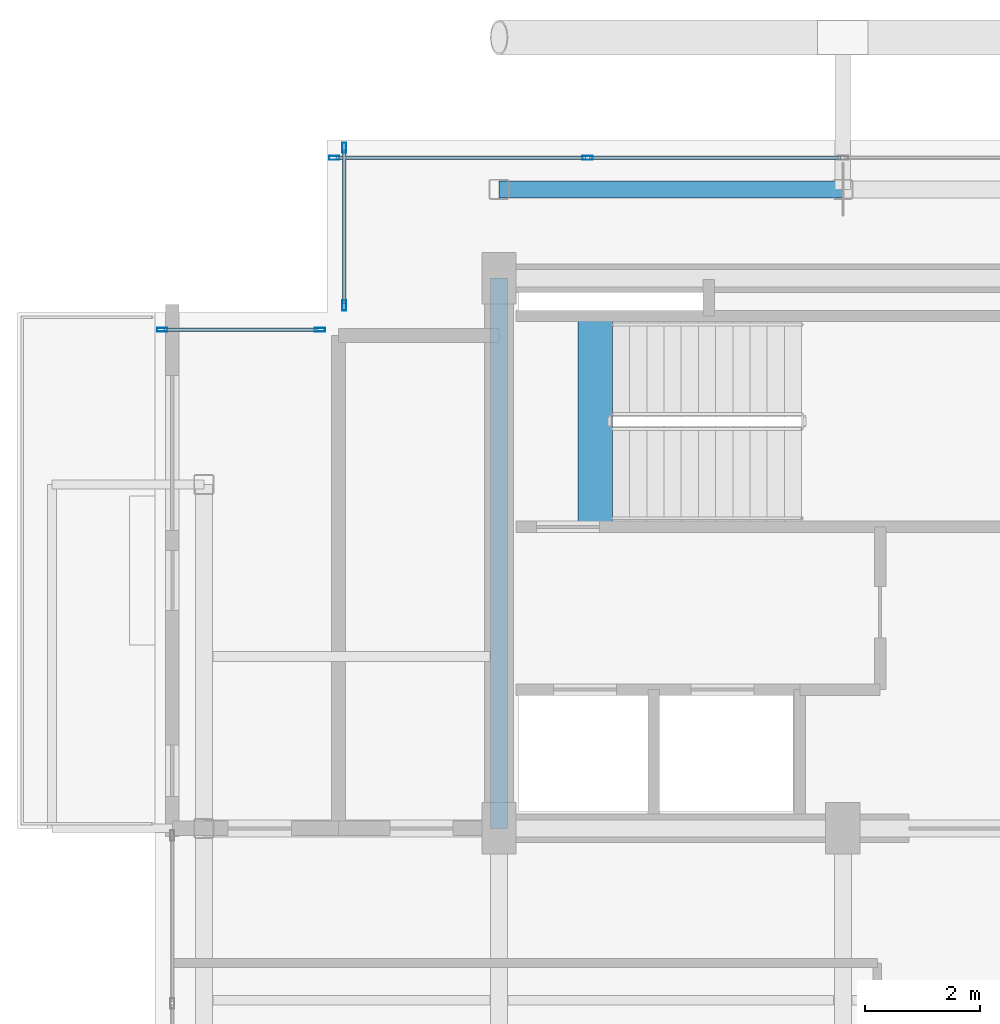
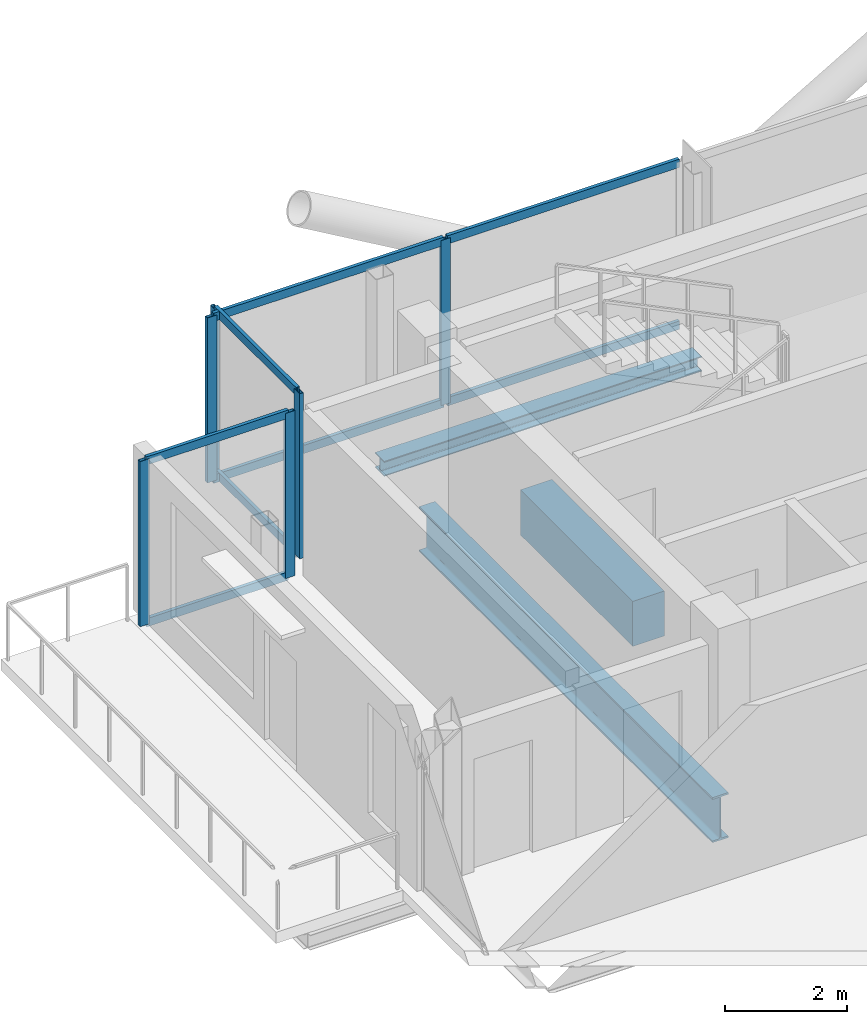
# One storey, part 7 of 18: 14 members, 3 beams, 3 elements without a shape of their own.
"""IFC4 building model written with IfcOpenShell, lengths in metres."""

from ifc_helpers import new_model, si_unit, direction, frame, origin, origin_2d, place, context, subcontext, project, spatial, rectangle, hollow_rectangle, i_section, extrude, material, layer, layer_set, material_profile, profile_set, type_object, element, aggregate, save


model = new_model("IFC4")

# Units and contexts
model_context = context("Model", 3, precision=1e-05, world=origin(), true_north=direction((0.0, 1.0)))
body_context = subcontext(model_context, "Body", "Model", "MODEL_VIEW")
ifc_project = project(units=[si_unit("LENGTHUNIT", "METRE"), si_unit("AREAUNIT", "SQUARE_METRE"), si_unit("VOLUMEUNIT", "CUBIC_METRE"), si_unit("PLANEANGLEUNIT", "RADIAN"), si_unit("MASSUNIT", "GRAM", prefix="KILO"), si_unit("THERMODYNAMICTEMPERATUREUNIT", "KELVIN"), si_unit("POWERUNIT", "WATT")], contexts=[model_context])

# Site, building, storey
site_placement = place(None, origin())
site = spatial("IfcSite", under=ifc_project, at=site_placement, CompositionType="ELEMENT")
building_placement = place(site_placement, origin())
building = spatial("IfcBuilding", under=site, at=building_placement, Name="Svarakhadi Broadcast Tower", CompositionType="ELEMENT")
storey_placement = place(building_placement, frame((0.0, 0.0, 288.699951171875)))
storey = spatial("IfcBuildingStorey", under=building, at=storey_placement, Name="L73", CompositionType="ELEMENT", Elevation=288.699951171875)

# Curtain wall, members
ifc_material_1 = material(Name="Anodised Bronze Aluminium AA 6063-T6", Category="aluminium")
ifc_layer = layer(ifc_material_1, 0.179931640625)
ifc_layer_set = layer_set([ifc_layer], Name="Anodised Bronze Aluminium AA 6063-T6")
curtain_wall_type = type_object("IfcCurtainWallType", Name="CW_Sys_05", PredefinedType="NOTDEFINED", material=ifc_layer_set)
curtain_wall_1_placement = place(storey_placement, origin())
curtain_wall_1 = element("IfcCurtainWall", 1, at=curtain_wall_1_placement, inside=storey, type_object=curtain_wall_type, Name="L73 Unitised Facade Curtain Wall 03", PredefinedType="NOTDEFINED")
ifc_material_profile_1 = material_profile(ifc_material_1, hollow_rectangle(XDim=0.070068359375, YDim=0.179931640625, WallThickness=0.005615234375, at=origin_2d()), Name="ALU MULLION 180x70x6")
ifc_profile_set_1 = profile_set([ifc_material_profile_1], Name="Anodised Bronze Aluminium AA 6063-T6")
member_type_1 = type_object("IfcMemberType", Name="CW_Sys_05_Mul", PredefinedType="MULLION", material=ifc_profile_set_1)
member_1_placement = place(storey_placement, frame((0.125, 26.699951171875, 0.0), z_axis=(0.0, 0.0, 1.0), x_axis=(0.0, 1.0, 0.0)))
member_1 = element("IfcMember", 2, at=member_1_placement, type_object=member_type_1, Name="CW-05 mullion 1", PredefinedType="MULLION", context=body_context, shape_type="SweptSolid", body=[
    extrude(hollow_rectangle(XDim=0.070068359375, YDim=0.179931640625, WallThickness=0.005615234375, at=origin_2d()), origin(), (0.0, 0.0, 1.0), 3.300048828125),
])
member_2_placement = place(storey_placement, frame((2.875, 26.699951171875, 0.0), z_axis=(0.0, 0.0, 1.0), x_axis=(0.0, 1.0, 0.0)))
member_2 = element("IfcMember", 3, at=member_2_placement, type_object=member_type_1, Name="CW-05 mullion 2", PredefinedType="MULLION", context=body_context, shape_type="SweptSolid", body=[
    extrude(hollow_rectangle(XDim=0.070068359375, YDim=0.179931640625, WallThickness=0.005615234375, at=origin_2d()), origin(), (0.0, 0.0, 1.0), 3.300048828125),
])

curtain_wall_2_placement = place(storey_placement, origin())
curtain_wall_2 = element("IfcCurtainWall", 4, at=curtain_wall_2_placement, inside=storey, type_object=curtain_wall_type, Name="L73 Unitised Facade Curtain Wall 04", PredefinedType="NOTDEFINED")
member_3_placement = place(storey_placement, frame((3.300048828125, 27.125, 0.0), z_axis=(0.0, 0.0, 1.0), x_axis=(-1.0, 0.0, 0.0)))
member_3 = element("IfcMember", 5, at=member_3_placement, type_object=member_type_1, Name="CW-05 mullion 1", PredefinedType="MULLION", context=body_context, shape_type="SweptSolid", body=[
    extrude(hollow_rectangle(XDim=0.070068359375, YDim=0.179931640625, WallThickness=0.005615234375, at=origin_2d()), origin(), (0.0, 0.0, 1.0), 3.300048828125),
])
member_4_placement = place(storey_placement, frame((3.300048828125, 29.875, 0.0), z_axis=(0.0, 0.0, 1.0), x_axis=(-1.0, 0.0, 0.0)))
member_4 = element("IfcMember", 6, at=member_4_placement, type_object=member_type_1, Name="CW-05 mullion 2", PredefinedType="MULLION", context=body_context, shape_type="SweptSolid", body=[
    extrude(hollow_rectangle(XDim=0.070068359375, YDim=0.179931640625, WallThickness=0.005615234375, at=origin_2d()), origin(), (0.0, 0.0, 1.0), 3.300048828125),
])

curtain_wall_3_placement = place(storey_placement, origin())
curtain_wall_3 = element("IfcCurtainWall", 7, at=curtain_wall_3_placement, inside=storey, type_object=curtain_wall_type, Name="L73 Unitised Facade Curtain Wall 05", PredefinedType="NOTDEFINED")
member_5_placement = place(storey_placement, frame((3.125, 29.699951171875, 0.0), z_axis=(0.0, 0.0, 1.0), x_axis=(0.0, 1.0, 0.0)))
member_5 = element("IfcMember", 8, at=member_5_placement, type_object=member_type_1, Name="CW-05 mullion 1", PredefinedType="MULLION", context=body_context, shape_type="SweptSolid", body=[
    extrude(hollow_rectangle(XDim=0.070068359375, YDim=0.179931640625, WallThickness=0.005615234375, at=origin_2d()), origin(), (0.0, 0.0, 1.0), 3.300048828125),
])
member_6_placement = place(storey_placement, frame((7.544921875, 29.699951171875, 0.0), z_axis=(0.0, 0.0, 1.0), x_axis=(0.0, 1.0, 0.0)))
member_6 = element("IfcMember", 9, at=member_6_placement, type_object=member_type_1, Name="CW-05 mullion 2", PredefinedType="MULLION", context=body_context, shape_type="SweptSolid", body=[
    extrude(hollow_rectangle(XDim=0.070068359375, YDim=0.179931640625, WallThickness=0.005615234375, at=origin_2d()), origin(), (0.0, 0.0, 1.0), 3.300048828125),
])

# Member
ifc_material_profile_2 = material_profile(ifc_material_1, hollow_rectangle(XDim=0.06494140625, YDim=0.1650390625, WallThickness=0.0048828125, at=origin_2d()), Name="ALU TRANSOM 165x65x5")
ifc_profile_set_2 = profile_set([ifc_material_profile_2], Name="Anodised Bronze Aluminium AA 6063-T6")
member_type_2 = type_object("IfcMemberType", Name="CW_Sys_05_Trn", PredefinedType="USERDEFINED", material=ifc_profile_set_2)
member_7_placement = place(storey_placement, frame((0.159912109375, 26.699951171875, 0.032470703125), z_axis=(1.0, 0.0, 0.0), x_axis=(0.0, 1.0, 0.0)))
member_7 = element("IfcMember", 10, at=member_7_placement, type_object=member_type_2, Name="CW-05 transom 1.1", ObjectType="TRANSOM", PredefinedType="USERDEFINED", context=body_context, shape_type="SweptSolid", body=[
    extrude(hollow_rectangle(XDim=0.06494140625, YDim=0.1650390625, WallThickness=0.0048828125, at=origin_2d()), origin(), (0.0, 0.0, 1.0), 2.68017578125),
])

member_8_placement = place(storey_placement, frame((0.159912109375, 26.699951171875, 3.267578125), z_axis=(1.0, 0.0, 0.0), x_axis=(0.0, 1.0, 0.0)))
member_8 = element("IfcMember", 11, at=member_8_placement, type_object=member_type_2, Name="CW-05 transom 1.2", ObjectType="TRANSOM", PredefinedType="USERDEFINED", context=body_context, shape_type="SweptSolid", body=[
    extrude(hollow_rectangle(XDim=0.06494140625, YDim=0.1650390625, WallThickness=0.0048828125, at=origin_2d()), origin(), (0.0, 0.0, 1.0), 2.68017578125),
])

aggregate(curtain_wall_1, [member_1, member_2, member_7, member_8])

member_9_placement = place(storey_placement, frame((3.300048828125, 27.159912109375, 0.032470703125), z_axis=(0.0, 1.0, 0.0), x_axis=(-1.0, 0.0, 0.0)))
member_9 = element("IfcMember", 12, at=member_9_placement, type_object=member_type_2, Name="CW-05 transom 1.1", ObjectType="TRANSOM", PredefinedType="USERDEFINED", context=body_context, shape_type="SweptSolid", body=[
    extrude(hollow_rectangle(XDim=0.06494140625, YDim=0.1650390625, WallThickness=0.0048828125, at=origin_2d()), origin(), (0.0, 0.0, 1.0), 2.68017578125),
])

member_10_placement = place(storey_placement, frame((3.300048828125, 27.159912109375, 3.267578125), z_axis=(0.0, 1.0, 0.0), x_axis=(-1.0, 0.0, 0.0)))
member_10 = element("IfcMember", 13, at=member_10_placement, type_object=member_type_2, Name="CW-05 transom 1.2", ObjectType="TRANSOM", PredefinedType="USERDEFINED", context=body_context, shape_type="SweptSolid", body=[
    extrude(hollow_rectangle(XDim=0.06494140625, YDim=0.1650390625, WallThickness=0.0048828125, at=origin_2d()), origin(), (0.0, 0.0, 1.0), 2.68017578125),
])

aggregate(curtain_wall_2, [member_3, member_4, member_9, member_10])

member_11_placement = place(storey_placement, frame((3.159912109375, 29.699951171875, 0.032470703125), z_axis=(1.0, 0.0, 0.0), x_axis=(0.0, 1.0, 0.0)))
member_11 = element("IfcMember", 14, at=member_11_placement, type_object=member_type_2, Name="CW-05 transom 1.1", ObjectType="TRANSOM", PredefinedType="USERDEFINED", context=body_context, shape_type="SweptSolid", body=[
    extrude(hollow_rectangle(XDim=0.06494140625, YDim=0.1650390625, WallThickness=0.0048828125, at=origin_2d()), origin(), (0.0, 0.0, 1.0), 4.35009765625),
])

member_12_placement = place(storey_placement, frame((3.159912109375, 29.699951171875, 3.267578125), z_axis=(1.0, 0.0, 0.0), x_axis=(0.0, 1.0, 0.0)))
member_12 = element("IfcMember", 15, at=member_12_placement, type_object=member_type_2, Name="CW-05 transom 1.2", ObjectType="TRANSOM", PredefinedType="USERDEFINED", context=body_context, shape_type="SweptSolid", body=[
    extrude(hollow_rectangle(XDim=0.06494140625, YDim=0.1650390625, WallThickness=0.0048828125, at=origin_2d()), origin(), (0.0, 0.0, 1.0), 4.35009765625),
])

member_13_placement = place(storey_placement, frame((7.580078125, 29.699951171875, 0.032470703125), z_axis=(1.0, 0.0, 0.0), x_axis=(0.0, 1.0, 0.0)))
member_13 = element("IfcMember", 16, at=member_13_placement, type_object=member_type_2, Name="CW-05 transom 2.1", ObjectType="TRANSOM", PredefinedType="USERDEFINED", context=body_context, shape_type="SweptSolid", body=[
    extrude(hollow_rectangle(XDim=0.06494140625, YDim=0.1650390625, WallThickness=0.0048828125, at=origin_2d()), origin(), (0.0, 0.0, 1.0), 4.385009765625),
])

member_14_placement = place(storey_placement, frame((7.580078125, 29.699951171875, 3.267578125), z_axis=(1.0, 0.0, 0.0), x_axis=(0.0, 1.0, 0.0)))
member_14 = element("IfcMember", 17, at=member_14_placement, type_object=member_type_2, Name="CW-05 transom 2.2", ObjectType="TRANSOM", PredefinedType="USERDEFINED", context=body_context, shape_type="SweptSolid", body=[
    extrude(hollow_rectangle(XDim=0.06494140625, YDim=0.1650390625, WallThickness=0.0048828125, at=origin_2d()), origin(), (0.0, 0.0, 1.0), 4.385009765625),
])

aggregate(curtain_wall_3, [member_5, member_6, member_11, member_12, member_13, member_14])

# Beams
ifc_material_2 = material(Name="Concrete C50/60 (IS 456 M60)", Category="concrete")
ifc_material_profile_3 = material_profile(ifc_material_2, rectangle(XDim=0.60009765625, YDim=0.89990234375, at=origin_2d()), Name="RC 600x900")
ifc_profile_set_3 = profile_set([ifc_material_profile_3], Name="Concrete C50/60 (IS 456 M60)")
beam_type_1 = type_object("IfcBeamType", Name="Coupling_RC600", PredefinedType="USERDEFINED", material=ifc_profile_set_3)
beam_1_placement = place(storey_placement, frame((7.679931640625, 23.260009765625, -0.449951171875), z_axis=(0.0, 1.0, 0.0), x_axis=(-1.0, 0.0, 0.0)))
element("IfcBeam", 18, at=beam_1_placement, inside=storey, type_object=beam_type_1, Name="L73 Stair ST-01 Landing Throat Trimmer Beam CB-01", ObjectType="GIRDER", PredefinedType="USERDEFINED", context=body_context, shape_type="SweptSolid", body=[
    extrude(rectangle(XDim=0.60009765625, YDim=0.89990234375, at=origin_2d()), origin(), (0.0, 0.0, 1.0), 3.679931640625),
])
ifc_material_3 = material(Name="Steel S355J2 (IS 2062 E350C)", Category="steel")
ifc_material_profile_4 = material_profile(ifc_material_3, i_section(OverallWidth=0.300048828125, OverallDepth=0.300048828125, WebThickness=0.010986328125, FlangeThickness=0.01904296875, FilletRadius=0.027099609375, at=origin_2d()), Name="WPB 300x300x117")
ifc_profile_set_4 = profile_set([ifc_material_profile_4], Name="Steel S355J2 (IS 2062 E350C)")
beam_type_2 = type_object("IfcBeamType", Name="Girder_WPB300", PredefinedType="USERDEFINED", material=ifc_profile_set_4)
beam_2_placement = place(storey_placement, frame((6.0, 29.14990234375, -0.349853515625), z_axis=(1.0, 0.0, 0.0), x_axis=(0.0, 1.0, 0.0)))
element("IfcBeam", 19, at=beam_2_placement, inside=storey, type_object=beam_type_2, Name="L73 Primary E-W Girder G024", ObjectType="GIRDER", PredefinedType="USERDEFINED", context=body_context, shape_type="SweptSolid", body=[
    extrude(i_section(OverallWidth=0.300048828125, OverallDepth=0.300048828125, WebThickness=0.010986328125, FlangeThickness=0.01904296875, FilletRadius=0.027099609375, at=origin_2d()), origin(), (0.0, 0.0, 1.0), 6.0),
])
ifc_material_4 = material(Name="Steel S460ML (IS 2062 E450BR)", Category="steel")
ifc_material_profile_5 = material_profile(ifc_material_4, i_section(OverallWidth=0.300048828125, OverallDepth=0.89990234375, WebThickness=0.0185546875, FlangeThickness=0.034912109375, FilletRadius=0.030029296875, at=origin_2d()), Name="WPB 900x300x291")
ifc_profile_set_5 = profile_set([ifc_material_profile_5], Name="Steel S460ML (IS 2062 E450BR)")
beam_type_3 = type_object("IfcBeamType", Name="Girder_WPB900", PredefinedType="USERDEFINED", material=ifc_profile_set_5)
beam_3_placement = place(storey_placement, frame((6.0, 18.0, -0.64990234375), z_axis=(0.0, 1.0, 0.0), x_axis=(-1.0, 0.0, 0.0)))
element("IfcBeam", 20, at=beam_3_placement, inside=storey, type_object=beam_type_3, Name="L73 Primary N-S Girder G032", ObjectType="GIRDER", PredefinedType="USERDEFINED", context=body_context, shape_type="SweptSolid", body=[
    extrude(i_section(OverallWidth=0.300048828125, OverallDepth=0.89990234375, WebThickness=0.0185546875, FlangeThickness=0.034912109375, FilletRadius=0.030029296875, at=origin_2d()), origin(), (0.0, 0.0, 1.0), 9.60009765625),
])

save(model, "model.ifc")
